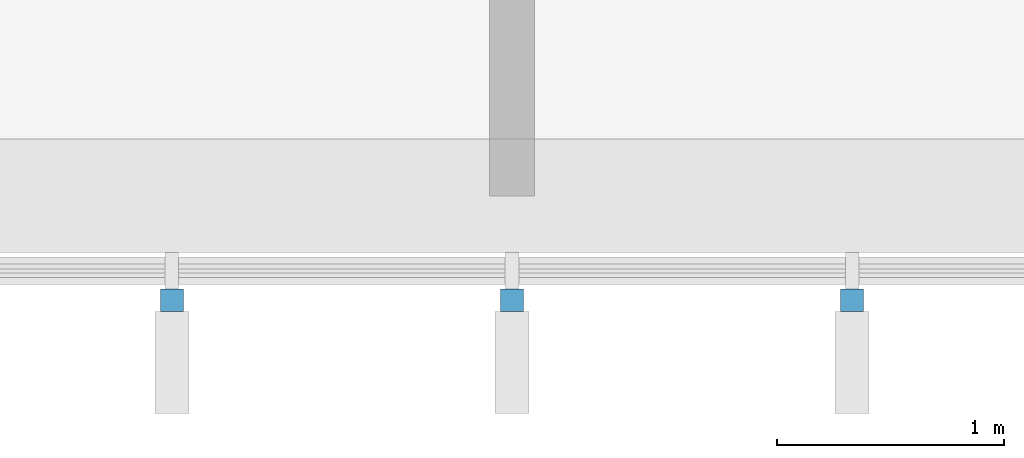
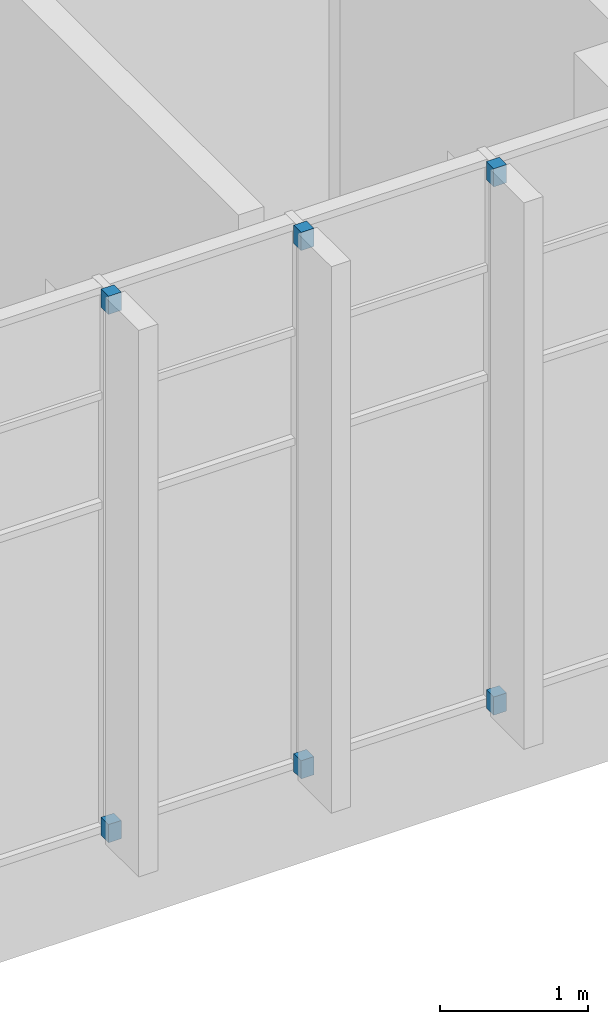
# One storey, part 17 of 19: 6 discrete accessories.
"""IFC4 building model written with IfcOpenShell, lengths in metres."""

from ifc_helpers import new_model, si_unit, direction, frame, origin, origin_2d, place, context, subcontext, project, spatial, rectangle, extrude, material, type_object, element, save


model = new_model("IFC4")

# Units and contexts
model_context = context("Model", 3, precision=1e-05, world=origin(), true_north=direction((0.0, 1.0)))
body_context = subcontext(model_context, "Body", "Model", "MODEL_VIEW")
ifc_project = project(units=[si_unit("LENGTHUNIT", "METRE"), si_unit("AREAUNIT", "SQUARE_METRE"), si_unit("VOLUMEUNIT", "CUBIC_METRE"), si_unit("PLANEANGLEUNIT", "RADIAN"), si_unit("MASSUNIT", "GRAM", prefix="KILO")], contexts=[model_context])

# Site, building, storey
site_placement = place(None, origin())
site = spatial("IfcSite", under=ifc_project, at=site_placement, CompositionType="ELEMENT")
building_placement = place(site_placement, origin())
building = spatial("IfcBuilding", under=site, at=building_placement, Name="Guidao Yard Department Store", CompositionType="ELEMENT")
storey_placement = place(building_placement, frame((0.0, 0.0, 33.0)))
storey = spatial("IfcBuildingStorey", under=building, at=storey_placement, Name="L07", CompositionType="ELEMENT", Elevation=33.0)

# Discrete accessories
ifc_material = material(Name="Steel Q355B", Category="steel")
discrete_accessory_type = type_object("IfcDiscreteAccessoryType", Name="Fin bracket BR3 steel plate", PredefinedType="BRACKET", material=ifc_material)
for number, where, z_axis, x_axis, name in (
    (1, (157.5, -0.4599609375, 0.0), (0.0, 0.0, 1.0), (-1.0, 0.0, 0.0), "Fin bracket"),
    (2, (157.5, -0.4599609375, 4.35009765625), (0.0, 0.0, 1.0), (-1.0, 0.0, 0.0), "Fin bracket"),
    (3, (159.0, -0.4599609375, 0.0), (0.0, 0.0, 1.0), (-1.0, 0.0, 0.0), "Fin bracket"),
    (4, (159.0, -0.4599609375, 4.35009765625), (0.0, 0.0, 1.0), (-1.0, 0.0, 0.0), "Fin bracket"),
    (5, (160.5, -0.4599609375, 0.0), (0.0, 0.0, 1.0), (-1.0, 0.0, 0.0), "Fin bracket"),
    (6, (160.5, -0.4599609375, 4.35009765625), (0.0, 0.0, 1.0), (-1.0, 0.0, 0.0), "Fin bracket"),
):
    element("IfcDiscreteAccessory", number, at=place(storey_placement, frame(where, z_axis=z_axis, x_axis=x_axis)), inside=storey, type_object=discrete_accessory_type, Name=name, PredefinedType="BRACKET", context=body_context, shape_type="SweptSolid", body=[
        extrude(rectangle(XDim=0.10009765625, YDim=0.10009765625, at=origin_2d()), origin(), (0.0, 0.0, 1.0), 0.14990234375),
    ])

save(model, "model.ifc")
